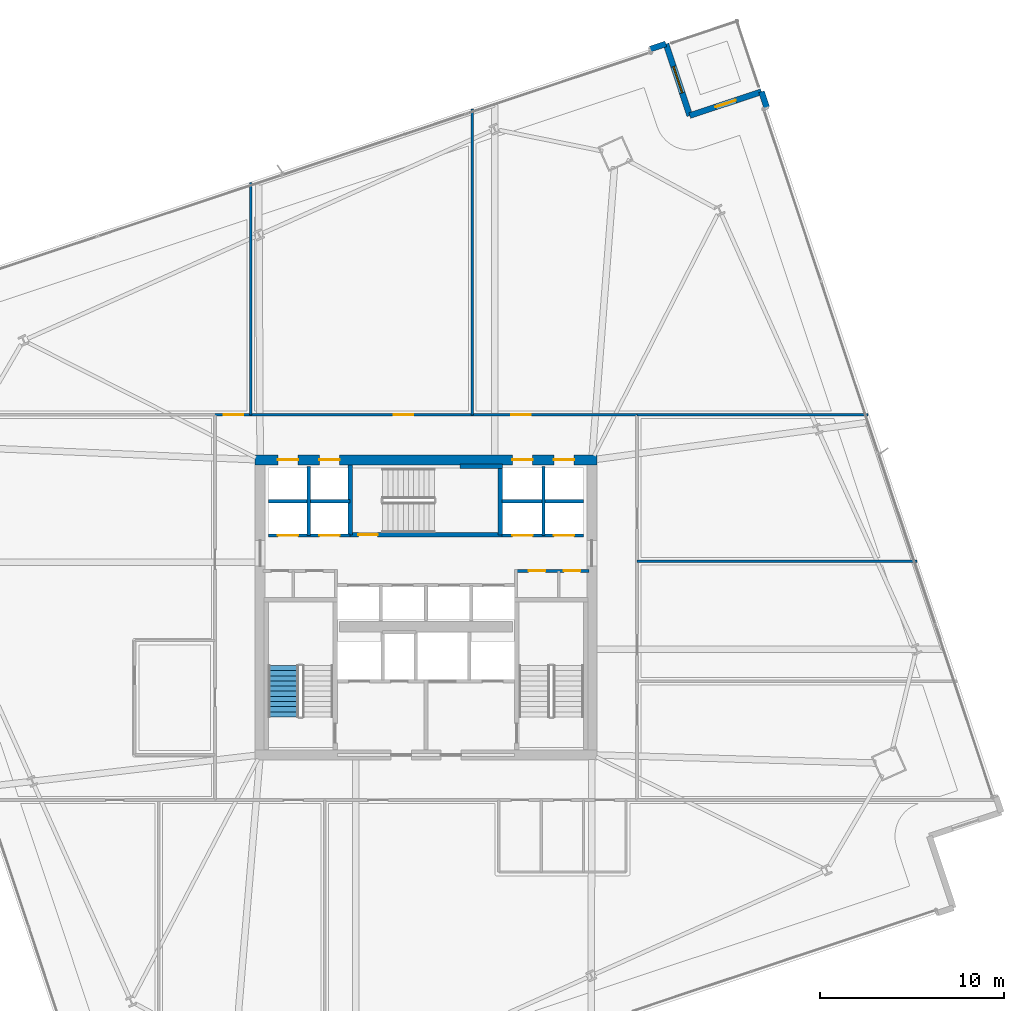
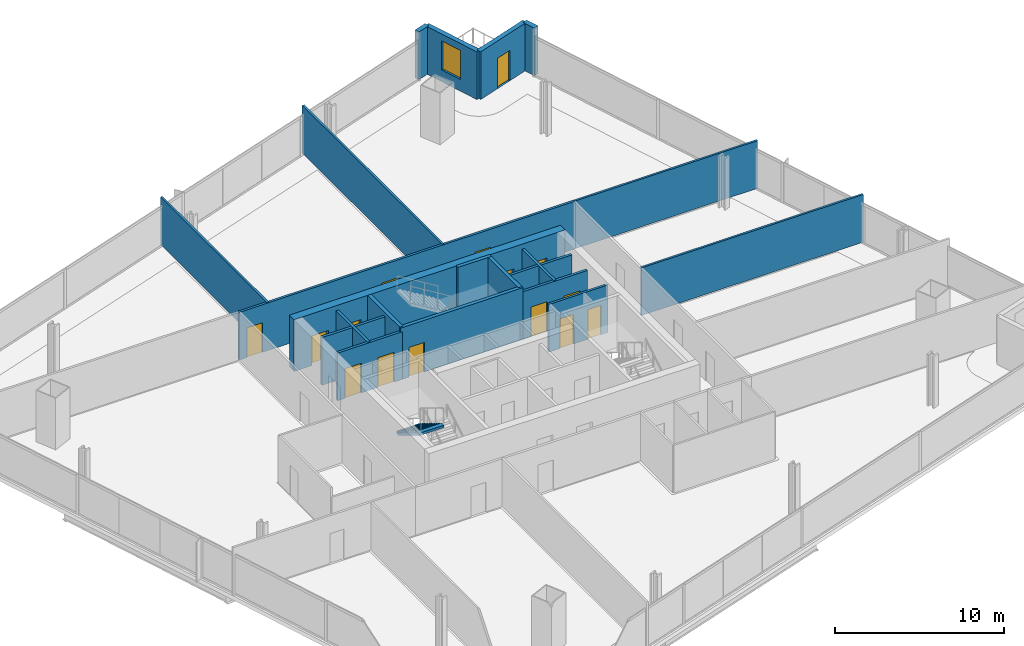
# One storey, part 27 of 34: 21 walls, 15 doors, 1 stair flight, 1 window, 16 openings, 1 element without a shape of its own.
"""IFC4 building model written with IfcOpenShell, lengths in metres."""

from ifc_helpers import new_model, si_unit, direction, frame, frame_2d, origin, place, context, subcontext, project, spatial, polyline, rectangle, outline, extrude, material, layer, layer_set, type_object, element, fill, aggregate, save


model = new_model("IFC4")

# Units and contexts
model_context = context("Model", 3, precision=1e-05, world=origin(), true_north=direction((0.0, 1.0)))
body_context = subcontext(model_context, "Body", "Model", "MODEL_VIEW")
ifc_project = project(units=[si_unit("LENGTHUNIT", "METRE"), si_unit("AREAUNIT", "SQUARE_METRE"), si_unit("VOLUMEUNIT", "CUBIC_METRE"), si_unit("PLANEANGLEUNIT", "RADIAN"), si_unit("MASSUNIT", "GRAM", prefix="KILO")], contexts=[model_context])

# Site, building, storey
site_placement = place(None, origin())
site = spatial("IfcSite", under=ifc_project, at=site_placement, CompositionType="ELEMENT")
building_placement = place(site_placement, origin())
building = spatial("IfcBuilding", under=site, at=building_placement, Name="Haldenkirk Collegiate Tower", CompositionType="ELEMENT")
storey_placement = place(building_placement, frame((0.0, 0.0, 90.449951171875)))
storey = spatial("IfcBuildingStorey", under=building, at=storey_placement, Name="L21", CompositionType="ELEMENT", Elevation=90.449951171875)

# Wall, openings, doors
ifc_material_1 = material(Name="Concrete f'c 70 MPa", Category="concrete")
ifc_layer_1 = layer(ifc_material_1, 0.550048828125)
ifc_layer_set_1 = layer_set([ifc_layer_1], Name="Concrete f'c 70 MPa")
wall_type_1 = type_object("IfcWallType", Name="WL-CORE-550", PredefinedType="SHEAR", material=ifc_layer_set_1)
wall_1_placement = place(storey_placement, frame((26.72509765625, 34.0, 0.0), z_axis=(0.0, 0.0, 1.0), x_axis=(1.0, 0.0, 0.0)))
wall_1 = element("IfcWall", 1, at=wall_1_placement, inside=storey, type_object=wall_type_1, Name="L21 central core shear wall N", PredefinedType="SHEAR", context=body_context, shape_type="SweptSolid", body=[
    extrude(rectangle(XDim=18.5498046875, YDim=0.550048828125, at=frame_2d((9.27490234375, 0.0))), origin(), (0.0, 0.0, 1.0), 3.75),
])
opening_1_placement = place(wall_1_placement, frame((1.239990234375, 0.0, 0.0)))
opening_1 = element("IfcOpeningElement", 2, at=opening_1_placement, cuts=wall_1, Name="Opening LD-11", PredefinedType="OPENING", context=body_context, shape_type="SweptSolid", body=[
    extrude(rectangle(XDim=1.10009765625, YDim=2.14990234375, at=frame_2d((0.550048828125, 1.074951171875))), frame((0.0, 0.284912109375, 0.0), z_axis=(0.0, -1.0, 0.0), x_axis=(1.0, 0.0, 0.0)), (0.0, 0.0, 1.0), 0.570068359375),
])
opening_2_placement = place(wall_1_placement, frame((3.489990234375, 0.0, 0.0)))
opening_2 = element("IfcOpeningElement", 3, at=opening_2_placement, cuts=wall_1, Name="Opening LD-11", PredefinedType="OPENING", context=body_context, shape_type="SweptSolid", body=[
    extrude(rectangle(XDim=1.10009765625, YDim=2.14990234375, at=frame_2d((0.550048828125, 1.074951171875))), frame((0.0, 0.284912109375, 0.0), z_axis=(0.0, -1.0, 0.0), x_axis=(1.0, 0.0, 0.0)), (0.0, 0.0, 1.0), 0.570068359375),
])
opening_3_placement = place(wall_1_placement, frame((13.9599609375, 0.0, 0.0)))
opening_3 = element("IfcOpeningElement", 4, at=opening_3_placement, cuts=wall_1, Name="Opening LD-11", PredefinedType="OPENING", context=body_context, shape_type="SweptSolid", body=[
    extrude(rectangle(XDim=1.10009765625, YDim=2.14990234375, at=frame_2d((0.550048828125, 1.074951171875))), frame((0.0, 0.284912109375, 0.0), z_axis=(0.0, -1.0, 0.0), x_axis=(1.0, 0.0, 0.0)), (0.0, 0.0, 1.0), 0.570068359375),
])
opening_4_placement = place(wall_1_placement, frame((16.2099609375, 0.0, 0.0)))
opening_4 = element("IfcOpeningElement", 5, at=opening_4_placement, cuts=wall_1, Name="Opening LD-11", PredefinedType="OPENING", context=body_context, shape_type="SweptSolid", body=[
    extrude(rectangle(XDim=1.10009765625, YDim=2.14990234375, at=frame_2d((0.550048828125, 1.074951171875))), frame((0.0, 0.284912109375, 0.0), z_axis=(0.0, -1.0, 0.0), x_axis=(1.0, 0.0, 0.0)), (0.0, 0.0, 1.0), 0.570068359375),
])
ifc_material_2 = material(Name="Brushed architectural stainless steel", Category="steel")
ifc_layer_2 = layer(ifc_material_2, 0.06005859375)
ifc_layer_set_2 = layer_set([ifc_layer_2], Name="Brushed architectural stainless steel")
door_type_1 = type_object("IfcDoorType", Name="LD-PASS-1100", OperationType="NOTDEFINED", PredefinedType="DOOR", material=ifc_layer_set_2)
door_1_placement = place(opening_1_placement, origin())
door_1 = element("IfcDoor", 6, at=door_1_placement, inside=storey, type_object=door_type_1, Name="L21 Elevator PL3 sliding landing door", OperationType="SLIDING_TO_LEFT", OverallHeight=2.14990234375, OverallWidth=1.10009765625, PredefinedType="DOOR", context=body_context, shape_type="SweptSolid", body=[
    extrude(rectangle(XDim=1.10009765625, YDim=2.14990234375, at=frame_2d((0.550048828125, 1.074951171875))), frame((0.0, 0.02490234375, 0.0), z_axis=(0.0, -1.0, 0.0), x_axis=(1.0, 0.0, 0.0)), (0.0, 0.0, 1.0), 0.050048828125),
])
fill(opening_1, door_1)
door_2_placement = place(opening_2_placement, origin())
door_2 = element("IfcDoor", 7, at=door_2_placement, inside=storey, type_object=door_type_1, Name="L21 Elevator PL4 sliding landing door", OperationType="SLIDING_TO_LEFT", OverallHeight=2.14990234375, OverallWidth=1.10009765625, PredefinedType="DOOR", context=body_context, shape_type="SweptSolid", body=[
    extrude(rectangle(XDim=1.10009765625, YDim=2.14990234375, at=frame_2d((0.550048828125, 1.074951171875))), frame((0.0, 0.02490234375, 0.0), z_axis=(0.0, -1.0, 0.0), x_axis=(1.0, 0.0, 0.0)), (0.0, 0.0, 1.0), 0.050048828125),
])
fill(opening_2, door_2)
door_3_placement = place(opening_3_placement, origin())
door_3 = element("IfcDoor", 8, at=door_3_placement, inside=storey, type_object=door_type_1, Name="L21 Elevator PM3 sliding landing door", OperationType="SLIDING_TO_LEFT", OverallHeight=2.14990234375, OverallWidth=1.10009765625, PredefinedType="DOOR", context=body_context, shape_type="SweptSolid", body=[
    extrude(rectangle(XDim=1.10009765625, YDim=2.14990234375, at=frame_2d((0.550048828125, 1.074951171875))), frame((0.0, 0.02490234375, 0.0), z_axis=(0.0, -1.0, 0.0), x_axis=(1.0, 0.0, 0.0)), (0.0, 0.0, 1.0), 0.050048828125),
])
fill(opening_3, door_3)
door_4_placement = place(opening_4_placement, origin())
door_4 = element("IfcDoor", 9, at=door_4_placement, inside=storey, type_object=door_type_1, Name="L21 Elevator PM4 sliding landing door", OperationType="SLIDING_TO_LEFT", OverallHeight=2.14990234375, OverallWidth=1.10009765625, PredefinedType="DOOR", context=body_context, shape_type="SweptSolid", body=[
    extrude(rectangle(XDim=1.10009765625, YDim=2.14990234375, at=frame_2d((0.550048828125, 1.074951171875))), frame((0.0, 0.02490234375, 0.0), z_axis=(0.0, -1.0, 0.0), x_axis=(1.0, 0.0, 0.0)), (0.0, 0.0, 1.0), 0.050048828125),
])
fill(opening_4, door_4)

# Wall
ifc_material_3 = material(Name="Precast concrete f'c 40 MPa", Category="concrete")
ifc_layer_3 = layer(ifc_material_3, 0.320068359375)
ifc_layer_set_3 = layer_set([ifc_layer_3], Name="Precast concrete f'c 40 MPa")
wall_type_2 = type_object("IfcWallType", Name="WL-EXT-TWR-320", PredefinedType="STANDARD", material=ifc_layer_set_3)
wall_2_placement = place(storey_placement, frame((54.2001953125, 53.97509765625, 0.0), z_axis=(0.0, 0.0, 1.0), x_axis=(0.315739467227, -0.948845924708, 0.0)))
element("IfcWall", 10, at=wall_2_placement, inside=storey, type_object=wall_type_2, Name="L21 precast corner pier EL", PredefinedType="STANDARD", context=body_context, shape_type="SweptSolid", body=[
    extrude(rectangle(XDim=0.900146484375, YDim=0.320068359375, at=frame_2d((0.4501953125, 0.0))), origin(), (0.0, 0.0, 1.0), 3.449951171875),
])

# Wall, opening, door
wall_3_placement = place(storey_placement, frame((50.309814453125, 52.680908203125, 0.0), z_axis=(0.0, 0.0, 1.0), x_axis=(0.948873674662, 0.315656062089, 0.0)))
wall_3 = element("IfcWall", 11, at=wall_3_placement, inside=storey, type_object=wall_type_2, Name="L21 bronze precast notch wall 05", PredefinedType="STANDARD", context=body_context, shape_type="SweptSolid", body=[
    extrude(rectangle(XDim=4.10009765625, YDim=0.320068359375, at=frame_2d((2.050048828125, 0.0))), origin(), (0.0, 0.0, 1.0), 3.449951171875),
])
opening_5_placement = place(wall_3_placement, frame((1.47509765625, 0.0, 0.0)))
opening_5 = element("IfcOpeningElement", 12, at=opening_5_placement, cuts=wall_3, Name="Opening D-ST11", PredefinedType="OPENING", context=body_context, shape_type="SweptSolid", body=[
    extrude(rectangle(XDim=1.14990234375, YDim=2.199951171875, at=frame_2d((0.574951171875, 1.10009765625))), frame((0.0, 0.169921875, 0.0), z_axis=(0.0, -1.0, 0.0), x_axis=(1.0, 0.0, 0.0)), (0.0, 0.0, 1.0), 0.340087890625),
])
ifc_material_4 = material(Name="Anodised architectural bronze aluminium", Category="aluminium")
ifc_layer_4 = layer(ifc_material_4, 0.080078125)
ifc_layer_set_4 = layer_set([ifc_layer_4], Name="Anodised architectural bronze aluminium")
door_type_2 = type_object("IfcDoorType", Name="DR-EXT-STER-1150", OperationType="NOTDEFINED", PredefinedType="DOOR", material=ifc_layer_set_4)
door_5_placement = place(opening_5_placement, origin())
door_5 = element("IfcDoor", 13, at=door_5_placement, inside=storey, type_object=door_type_2, Name="L21 spiralling terrace door", OperationType="SINGLE_SWING_RIGHT", OverallHeight=2.199951171875, OverallWidth=1.14990234375, PredefinedType="DOOR", context=body_context, shape_type="SweptSolid", body=[
    extrude(rectangle(XDim=1.14990234375, YDim=2.199951171875, at=frame_2d((0.574951171875, 1.10009765625))), frame((0.0, 0.02490234375, 0.0), z_axis=(0.0, -1.0, 0.0), x_axis=(1.0, 0.0, 0.0)), (0.0, 0.0, 1.0), 0.050048828125),
])
fill(opening_5, door_5)

# Wall, opening, window
wall_4_placement = place(storey_placement, frame((49.015625, 56.5712890625, 0.0), z_axis=(0.0, 0.0, 1.0), x_axis=(0.315656062089, -0.948873674662, 0.0)))
wall_4 = element("IfcWall", 14, at=wall_4_placement, inside=storey, type_object=wall_type_2, Name="L21 bronze precast notch wall 06", PredefinedType="STANDARD", context=body_context, shape_type="SweptSolid", body=[
    extrude(rectangle(XDim=4.10009765625, YDim=0.320068359375, at=frame_2d((2.050048828125, 0.0))), origin(), (0.0, 0.0, 1.0), 3.449951171875),
])
opening_6_placement = place(wall_4_placement, frame((1.300048828125, 0.0, 0.85009765625)))
opening_6 = element("IfcOpeningElement", 15, at=opening_6_placement, cuts=wall_4, Name="Opening W-04", PredefinedType="OPENING", context=body_context, shape_type="SweptSolid", body=[
    extrude(rectangle(XDim=1.5, YDim=2.10009765625, at=frame_2d((0.75, 1.050048828125))), frame((0.0, 0.169921875, 0.0), z_axis=(0.0, -1.0, 0.0), x_axis=(1.0, 0.0, 0.0)), (0.0, 0.0, 1.0), 0.340087890625),
])
ifc_material_5 = material(Name="Low-E argon triple insulating glass", Category="glass")
ifc_layer_5 = layer(ifc_material_5, 0.090087890625)
ifc_layer_set_5 = layer_set([ifc_layer_5], Name="Low-E argon triple insulating glass")
window_type = type_object("IfcWindowType", Name="WN-Z2-1500X2100", PartitioningType="SINGLE_PANEL", PredefinedType="WINDOW", material=ifc_layer_set_5)
window_placement = place(opening_6_placement, origin())
window = element("IfcWindow", 16, at=window_placement, inside=storey, type_object=window_type, Name="L21 precast-frame academic window 5", OverallHeight=2.10009765625, OverallWidth=1.5, PartitioningType="SINGLE_PANEL", PredefinedType="WINDOW", context=body_context, shape_type="SweptSolid", body=[
    extrude(rectangle(XDim=1.5, YDim=2.10009765625, at=frame_2d((0.75, 1.050048828125))), frame((0.0, 0.030029296875, 0.0), z_axis=(0.0, -1.0, 0.0), x_axis=(1.0, 0.0, 0.0)), (0.0, 0.0, 1.0), 0.06005859375),
])
fill(opening_6, window)

# Wall
wall_5_placement = place(storey_placement, frame((48.16162109375, 56.287109375, 0.0), z_axis=(0.0, 0.0, 1.0), x_axis=(0.948845924708, 0.315739467227, 0.0)))
element("IfcWall", 17, at=wall_5_placement, inside=storey, type_object=wall_type_2, Name="L21 precast corner pier NR", PredefinedType="STANDARD", context=body_context, shape_type="SweptSolid", body=[
    extrude(rectangle(XDim=0.900146484375, YDim=0.320068359375, at=frame_2d((0.4501953125, 0.0))), origin(), (0.0, 0.0, 1.0), 3.449951171875),
])

# Wall, openings, doors
ifc_material_6 = material(Name="Acoustic fire-rated gypsum partition", Category="concrete")
ifc_layer_6 = layer(ifc_material_6, 0.159912109375)
ifc_layer_set_6 = layer_set([ifc_layer_6], Name="Acoustic fire-rated gypsum partition")
wall_type_3 = type_object("IfcWallType", Name="WL-INT-CORR-160", PredefinedType="PARTITIONING", material=ifc_layer_set_6)
wall_6_placement = place(storey_placement, frame((40.800048828125, 27.97998046875, 0.0), z_axis=(0.0, 0.0, 1.0), x_axis=(1.0, 0.0, 0.0)))
wall_6 = element("IfcWall", 18, at=wall_6_placement, inside=storey, type_object=wall_type_3, Name="L21 interior partition IW-L21-VCSE-N", PredefinedType="PARTITIONING", context=body_context, shape_type="SweptSolid", body=[
    extrude(rectangle(XDim=4.050048828125, YDim=0.159912109375, at=frame_2d((2.02490234375, 0.0))), origin(), (0.0, 0.0, 1.0), 3.449951171875),
])
opening_7_placement = place(wall_6_placement, frame((0.77001953125, 0.0, 0.0)))
opening_7 = element("IfcOpeningElement", 19, at=opening_7_placement, cuts=wall_6, Name="Opening D-11", PredefinedType="OPENING", context=body_context, shape_type="SweptSolid", body=[
    extrude(rectangle(XDim=0.89990234375, YDim=2.14990234375, at=frame_2d((0.449951171875, 1.074951171875))), frame((0.0, 0.08984375, 0.0), z_axis=(0.0, -1.0, 0.0), x_axis=(1.0, 0.0, 0.0)), (0.0, 0.0, 1.0), 0.179931640625),
])
opening_8_placement = place(wall_6_placement, frame((2.679931640625, 0.0, 0.0)))
opening_8 = element("IfcOpeningElement", 20, at=opening_8_placement, cuts=wall_6, Name="Opening D-11", PredefinedType="OPENING", context=body_context, shape_type="SweptSolid", body=[
    extrude(rectangle(XDim=0.89990234375, YDim=2.14990234375, at=frame_2d((0.449951171875, 1.074951171875))), frame((0.0, 0.08984375, 0.0), z_axis=(0.0, -1.0, 0.0), x_axis=(1.0, 0.0, 0.0)), (0.0, 0.0, 1.0), 0.179931640625),
])
ifc_material_7 = material(Name="Solid-core architectural oak fire door", Category="wood")
ifc_layer_7 = layer(ifc_material_7, 0.06005859375)
ifc_layer_set_7 = layer_set([ifc_layer_7], Name="Solid-core architectural oak fire door")
door_type_3 = type_object("IfcDoorType", Name="DR-INT-FD60-900", OperationType="NOTDEFINED", PredefinedType="DOOR", material=ifc_layer_set_7)
door_6_placement = place(opening_7_placement, origin())
door_6 = element("IfcDoor", 21, at=door_6_placement, inside=storey, type_object=door_type_3, Name="L21 core archive door", OperationType="SINGLE_SWING_LEFT", OverallHeight=2.14990234375, OverallWidth=0.89990234375, PredefinedType="DOOR", context=body_context, shape_type="SweptSolid", body=[
    extrude(rectangle(XDim=0.89990234375, YDim=2.14990234375, at=frame_2d((0.449951171875, 1.074951171875))), frame((0.0, 0.02490234375, 0.0), z_axis=(0.0, -1.0, 0.0), x_axis=(1.0, 0.0, 0.0)), (0.0, 0.0, 1.0), 0.050048828125),
])
fill(opening_7, door_6)
door_7_placement = place(opening_8_placement, origin())
door_7 = element("IfcDoor", 22, at=door_7_placement, inside=storey, type_object=door_type_3, Name="L21 core telecom door", OperationType="SINGLE_SWING_RIGHT", OverallHeight=2.14990234375, OverallWidth=0.89990234375, PredefinedType="DOOR", context=body_context, shape_type="SweptSolid", body=[
    extrude(rectangle(XDim=0.89990234375, YDim=2.14990234375, at=frame_2d((0.449951171875, 1.074951171875))), frame((0.0, 0.02490234375, 0.0), z_axis=(0.0, -1.0, 0.0), x_axis=(1.0, 0.0, 0.0)), (0.0, 0.0, 1.0), 0.050048828125),
])
fill(opening_8, door_7)

wall_7_placement = place(storey_placement, frame((24.5, 36.449951171875, 0.0), z_axis=(0.0, 0.0, 1.0), x_axis=(1.0, 0.0, 0.0)))
wall_7 = element("IfcWall", 23, at=wall_7_placement, inside=storey, type_object=wall_type_3, Name="L21 interior partition IW-L21-CN", PredefinedType="PARTITIONING", context=body_context, shape_type="SweptSolid", body=[
    extrude(rectangle(XDim=23.0, YDim=0.159912109375, at=frame_2d((11.5, 0.0))), origin(), (0.0, 0.0, 1.0), 3.449951171875),
])
opening_9_placement = place(wall_7_placement, frame((0.530029296875, 0.0, 0.0)))
opening_9 = element("IfcOpeningElement", 24, at=opening_9_placement, cuts=wall_7, Name="Opening D-09", PredefinedType="OPENING", context=body_context, shape_type="SweptSolid", body=[
    extrude(rectangle(XDim=1.050048828125, YDim=2.14990234375, at=frame_2d((0.52490234375, 1.074951171875))), frame((0.0, 0.08984375, 0.0), z_axis=(0.0, -1.0, 0.0), x_axis=(1.0, 0.0, 0.0)), (0.0, 0.0, 1.0), 0.179931640625),
])
opening_10_placement = place(wall_7_placement, frame((9.7548828125, 0.0, 0.0)))
opening_10 = element("IfcOpeningElement", 25, at=opening_10_placement, cuts=wall_7, Name="Opening D-09", PredefinedType="OPENING", context=body_context, shape_type="SweptSolid", body=[
    extrude(rectangle(XDim=1.050048828125, YDim=2.14990234375, at=frame_2d((0.52490234375, 1.074951171875))), frame((0.0, 0.08984375, 0.0), z_axis=(0.0, -1.0, 0.0), x_axis=(1.0, 0.0, 0.0)), (0.0, 0.0, 1.0), 0.179931640625),
])
opening_11_placement = place(wall_7_placement, frame((16.12890625, 0.0, 0.0)))
opening_11 = element("IfcOpeningElement", 26, at=opening_11_placement, cuts=wall_7, Name="Opening D-09", PredefinedType="OPENING", context=body_context, shape_type="SweptSolid", body=[
    extrude(rectangle(XDim=1.050048828125, YDim=2.14990234375, at=frame_2d((0.52490234375, 1.074951171875))), frame((0.0, 0.08984375, 0.0), z_axis=(0.0, -1.0, 0.0), x_axis=(1.0, 0.0, 0.0)), (0.0, 0.0, 1.0), 0.179931640625),
])
ifc_layer_8 = layer(ifc_material_7, 0.06005859375)
ifc_layer_set_8 = layer_set([ifc_layer_8], Name="Solid-core architectural oak fire door")
door_type_4 = type_object("IfcDoorType", Name="DR-INT-FD60-1050", OperationType="NOTDEFINED", PredefinedType="DOOR", material=ifc_layer_set_8)
door_8_placement = place(opening_9_placement, origin())
door_8 = element("IfcDoor", 27, at=door_8_placement, inside=storey, type_object=door_type_4, Name="L21 Occupational Health Clinic 4 door", OperationType="SINGLE_SWING_LEFT", OverallHeight=2.14990234375, OverallWidth=1.050048828125, PredefinedType="DOOR", context=body_context, shape_type="SweptSolid", body=[
    extrude(rectangle(XDim=1.050048828125, YDim=2.14990234375, at=frame_2d((0.52490234375, 1.074951171875))), frame((0.0, 0.02490234375, 0.0), z_axis=(0.0, -1.0, 0.0), x_axis=(1.0, 0.0, 0.0)), (0.0, 0.0, 1.0), 0.050048828125),
])
fill(opening_9, door_8)
door_9_placement = place(opening_10_placement, origin())
door_9 = element("IfcDoor", 28, at=door_9_placement, inside=storey, type_object=door_type_4, Name="L21 Acoustics Testing Laboratory 5 door", OperationType="SINGLE_SWING_RIGHT", OverallHeight=2.14990234375, OverallWidth=1.050048828125, PredefinedType="DOOR", context=body_context, shape_type="SweptSolid", body=[
    extrude(rectangle(XDim=1.050048828125, YDim=2.14990234375, at=frame_2d((0.52490234375, 1.074951171875))), frame((0.0, 0.02490234375, 0.0), z_axis=(0.0, -1.0, 0.0), x_axis=(1.0, 0.0, 0.0)), (0.0, 0.0, 1.0), 0.050048828125),
])
fill(opening_10, door_9)
door_10_placement = place(opening_11_placement, origin())
door_10 = element("IfcDoor", 29, at=door_10_placement, inside=storey, type_object=door_type_4, Name="L21 Environmental Lab 6 door", OperationType="SINGLE_SWING_LEFT", OverallHeight=2.14990234375, OverallWidth=1.050048828125, PredefinedType="DOOR", context=body_context, shape_type="SweptSolid", body=[
    extrude(rectangle(XDim=1.050048828125, YDim=2.14990234375, at=frame_2d((0.52490234375, 1.074951171875))), frame((0.0, 0.02490234375, 0.0), z_axis=(0.0, -1.0, 0.0), x_axis=(1.0, 0.0, 0.0)), (0.0, 0.0, 1.0), 0.050048828125),
])
fill(opening_11, door_10)

# Walls
ifc_layer_9 = layer(ifc_material_6, 0.139892578125)
ifc_layer_set_9 = layer_set([ifc_layer_9], Name="Acoustic fire-rated gypsum partition")
wall_type_4 = type_object("IfcWallType", Name="WL-INT-DIV-140", PredefinedType="PARTITIONING", material=ifc_layer_set_9)
wall_8_placement = place(storey_placement, frame((47.449951171875, 36.449951171875, 0.0), z_axis=(0.0, 0.0, 1.0), x_axis=(1.0, 0.0, 0.0)))
element("IfcWall", 30, at=wall_8_placement, inside=storey, type_object=wall_type_4, Name="L21 interior partition IW-L21-BEN", PredefinedType="PARTITIONING", context=body_context, shape_type="SweptSolid", body=[
    extrude(rectangle(XDim=12.537841796875, YDim=0.139892578125, at=frame_2d((6.26904296875, 0.0))), origin(), (0.0, 0.0, 1.0), 3.449951171875),
])
wall_9_placement = place(storey_placement, frame((26.5, 36.449951171875, 0.0), z_axis=(0.0, 0.0, 1.0), x_axis=(0.0, 1.0, 0.0)))
element("IfcWall", 31, at=wall_9_placement, inside=storey, type_object=wall_type_4, Name="L21 interior partition IW-L21-RN1", PredefinedType="PARTITIONING", context=body_context, shape_type="SweptSolid", body=[
    extrude(rectangle(XDim=12.58935546875, YDim=0.139892578125, at=frame_2d((6.294677734375, 0.0))), origin(), (0.0, 0.0, 1.0), 3.449951171875),
])
wall_10_placement = place(storey_placement, frame((38.5, 36.449951171875, 0.0), z_axis=(0.0, 0.0, 1.0), x_axis=(0.0, 1.0, 0.0)))
element("IfcWall", 32, at=wall_10_placement, inside=storey, type_object=wall_type_4, Name="L21 interior partition IW-L21-RN2", PredefinedType="PARTITIONING", context=body_context, shape_type="SweptSolid", body=[
    extrude(rectangle(XDim=16.5810546875, YDim=0.139892578125, at=frame_2d((8.29052734375, 0.0))), origin(), (0.0, 0.0, 1.0), 3.449951171875),
])
wall_11_placement = place(storey_placement, frame((47.449951171875, 28.5, 0.0), z_axis=(0.0, 0.0, 1.0), x_axis=(1.0, 0.0, 0.0)))
element("IfcWall", 33, at=wall_11_placement, inside=storey, type_object=wall_type_4, Name="L21 interior partition IW-L21-RE2", PredefinedType="PARTITIONING", context=body_context, shape_type="SweptSolid", body=[
    extrude(rectangle(XDim=15.1826171875, YDim=0.139892578125, at=frame_2d((7.59130859375, 0.0))), origin(), (0.0, 0.0, 1.0), 3.449951171875),
])

# Wall, openings, doors
ifc_material_8 = material(Name="Fire-rated gypsum shaftboard assembly", Category="concrete")
ifc_layer_10 = layer(ifc_material_8, 0.179931640625)
ifc_layer_set_10 = layer_set([ifc_layer_10], Name="Fire-rated gypsum shaftboard assembly")
wall_type_5 = type_object("IfcWallType", Name="WL-INT-SHAFT-180", PredefinedType="PARTITIONING", material=ifc_layer_set_10)
wall_12_placement = place(storey_placement, frame((27.449951171875, 29.89990234375, 0.0), z_axis=(0.0, 0.0, 1.0), x_axis=(1.0, 0.0, 0.0)))
wall_12 = element("IfcWall", 34, at=wall_12_placement, inside=storey, type_object=wall_type_5, Name="L21 interior partition IW-L21-PLS", PredefinedType="PARTITIONING", context=body_context, shape_type="SweptSolid", body=[
    extrude(rectangle(XDim=4.429931640625, YDim=0.179931640625, at=frame_2d((2.21484375, 0.0))), origin(), (0.0, 0.0, 1.0), 3.449951171875),
])
opening_12_placement = place(wall_12_placement, frame((0.514892578125, 0.0, 0.0)))
opening_12 = element("IfcOpeningElement", 35, at=opening_12_placement, cuts=wall_12, Name="Opening LD-11", PredefinedType="OPENING", context=body_context, shape_type="SweptSolid", body=[
    extrude(rectangle(XDim=1.10009765625, YDim=2.14990234375, at=frame_2d((0.550048828125, 1.074951171875))), frame((0.0, 0.099853515625, 0.0), z_axis=(0.0, -1.0, 0.0), x_axis=(1.0, 0.0, 0.0)), (0.0, 0.0, 1.0), 0.199951171875),
])
opening_13_placement = place(wall_12_placement, frame((2.764892578125, 0.0, 0.0)))
opening_13 = element("IfcOpeningElement", 36, at=opening_13_placement, cuts=wall_12, Name="Opening LD-11", PredefinedType="OPENING", context=body_context, shape_type="SweptSolid", body=[
    extrude(rectangle(XDim=1.10009765625, YDim=2.14990234375, at=frame_2d((0.550048828125, 1.074951171875))), frame((0.0, 0.099853515625, 0.0), z_axis=(0.0, -1.0, 0.0), x_axis=(1.0, 0.0, 0.0)), (0.0, 0.0, 1.0), 0.199951171875),
])
door_11_placement = place(opening_12_placement, origin())
door_11 = element("IfcDoor", 37, at=door_11_placement, inside=storey, type_object=door_type_1, Name="L21 Elevator PL1 sliding landing door", OperationType="SLIDING_TO_LEFT", OverallHeight=2.14990234375, OverallWidth=1.10009765625, PredefinedType="DOOR", context=body_context, shape_type="SweptSolid", body=[
    extrude(rectangle(XDim=1.10009765625, YDim=2.14990234375, at=frame_2d((0.550048828125, 1.074951171875))), frame((0.0, 0.02490234375, 0.0), z_axis=(0.0, -1.0, 0.0), x_axis=(1.0, 0.0, 0.0)), (0.0, 0.0, 1.0), 0.050048828125),
])
fill(opening_12, door_11)
door_12_placement = place(opening_13_placement, origin())
door_12 = element("IfcDoor", 38, at=door_12_placement, inside=storey, type_object=door_type_1, Name="L21 Elevator PL2 sliding landing door", OperationType="SLIDING_TO_LEFT", OverallHeight=2.14990234375, OverallWidth=1.10009765625, PredefinedType="DOOR", context=body_context, shape_type="SweptSolid", body=[
    extrude(rectangle(XDim=1.10009765625, YDim=2.14990234375, at=frame_2d((0.550048828125, 1.074951171875))), frame((0.0, 0.02490234375, 0.0), z_axis=(0.0, -1.0, 0.0), x_axis=(1.0, 0.0, 0.0)), (0.0, 0.0, 1.0), 0.050048828125),
])
fill(opening_13, door_12)

# Walls
wall_13_placement = place(storey_placement, frame((27.449951171875, 31.75, 0.0), z_axis=(0.0, 0.0, 1.0), x_axis=(1.0, 0.0, 0.0)))
element("IfcWall", 39, at=wall_13_placement, inside=storey, type_object=wall_type_5, Name="L21 interior partition IW-L21-PLM", PredefinedType="PARTITIONING", context=body_context, shape_type="SweptSolid", body=[
    extrude(rectangle(XDim=4.429931640625, YDim=0.179931640625, at=frame_2d((2.21484375, 0.0))), origin(), (0.0, 0.0, 1.0), 3.449951171875),
])
wall_14_placement = place(storey_placement, frame((29.6298828125, 29.89990234375, 0.0), z_axis=(0.0, 0.0, 1.0), x_axis=(0.0, 1.0, 0.0)))
element("IfcWall", 40, at=wall_14_placement, inside=storey, type_object=wall_type_5, Name="L21 interior partition IW-L21-PLV", PredefinedType="PARTITIONING", context=body_context, shape_type="SweptSolid", body=[
    extrude(rectangle(XDim=3.75, YDim=0.179931640625, at=frame_2d((1.875, 0.0))), origin(), (0.0, 0.0, 1.0), 3.449951171875),
])

# Wall, openings, doors
wall_15_placement = place(storey_placement, frame((40.1201171875, 29.89990234375, 0.0), z_axis=(0.0, 0.0, 1.0), x_axis=(1.0, 0.0, 0.0)))
wall_15 = element("IfcWall", 41, at=wall_15_placement, inside=storey, type_object=wall_type_5, Name="L21 interior partition IW-L21-PMS", PredefinedType="PARTITIONING", context=body_context, shape_type="SweptSolid", body=[
    extrude(rectangle(XDim=4.429931640625, YDim=0.179931640625, at=frame_2d((2.21484375, 0.0))), origin(), (0.0, 0.0, 1.0), 3.449951171875),
])
opening_14_placement = place(wall_15_placement, frame((0.56494140625, 0.0, 0.0)))
opening_14 = element("IfcOpeningElement", 42, at=opening_14_placement, cuts=wall_15, Name="Opening LD-11", PredefinedType="OPENING", context=body_context, shape_type="SweptSolid", body=[
    extrude(rectangle(XDim=1.10009765625, YDim=2.14990234375, at=frame_2d((0.550048828125, 1.074951171875))), frame((0.0, 0.099853515625, 0.0), z_axis=(0.0, -1.0, 0.0), x_axis=(1.0, 0.0, 0.0)), (0.0, 0.0, 1.0), 0.199951171875),
])
opening_15_placement = place(wall_15_placement, frame((2.81494140625, 0.0, 0.0)))
opening_15 = element("IfcOpeningElement", 43, at=opening_15_placement, cuts=wall_15, Name="Opening LD-11", PredefinedType="OPENING", context=body_context, shape_type="SweptSolid", body=[
    extrude(rectangle(XDim=1.10009765625, YDim=2.14990234375, at=frame_2d((0.550048828125, 1.074951171875))), frame((0.0, 0.099853515625, 0.0), z_axis=(0.0, -1.0, 0.0), x_axis=(1.0, 0.0, 0.0)), (0.0, 0.0, 1.0), 0.199951171875),
])
door_13_placement = place(opening_14_placement, origin())
door_13 = element("IfcDoor", 44, at=door_13_placement, inside=storey, type_object=door_type_1, Name="L21 Elevator PM1 sliding landing door", OperationType="SLIDING_TO_LEFT", OverallHeight=2.14990234375, OverallWidth=1.10009765625, PredefinedType="DOOR", context=body_context, shape_type="SweptSolid", body=[
    extrude(rectangle(XDim=1.10009765625, YDim=2.14990234375, at=frame_2d((0.550048828125, 1.074951171875))), frame((0.0, 0.02490234375, 0.0), z_axis=(0.0, -1.0, 0.0), x_axis=(1.0, 0.0, 0.0)), (0.0, 0.0, 1.0), 0.050048828125),
])
fill(opening_14, door_13)
door_14_placement = place(opening_15_placement, origin())
door_14 = element("IfcDoor", 45, at=door_14_placement, inside=storey, type_object=door_type_1, Name="L21 Elevator PM2 sliding landing door", OperationType="SLIDING_TO_LEFT", OverallHeight=2.14990234375, OverallWidth=1.10009765625, PredefinedType="DOOR", context=body_context, shape_type="SweptSolid", body=[
    extrude(rectangle(XDim=1.10009765625, YDim=2.14990234375, at=frame_2d((0.550048828125, 1.074951171875))), frame((0.0, 0.02490234375, 0.0), z_axis=(0.0, -1.0, 0.0), x_axis=(1.0, 0.0, 0.0)), (0.0, 0.0, 1.0), 0.050048828125),
])
fill(opening_15, door_14)

# Walls
wall_16_placement = place(storey_placement, frame((40.1201171875, 31.75, 0.0), z_axis=(0.0, 0.0, 1.0), x_axis=(1.0, 0.0, 0.0)))
element("IfcWall", 46, at=wall_16_placement, inside=storey, type_object=wall_type_5, Name="L21 interior partition IW-L21-PMM", PredefinedType="PARTITIONING", context=body_context, shape_type="SweptSolid", body=[
    extrude(rectangle(XDim=4.429931640625, YDim=0.179931640625, at=frame_2d((2.21484375, 0.0))), origin(), (0.0, 0.0, 1.0), 3.449951171875),
])
wall_17_placement = place(storey_placement, frame((42.3701171875, 29.89990234375, 0.0), z_axis=(0.0, 0.0, 1.0), x_axis=(0.0, 1.0, 0.0)))
element("IfcWall", 47, at=wall_17_placement, inside=storey, type_object=wall_type_5, Name="L21 interior partition IW-L21-PMV", PredefinedType="PARTITIONING", context=body_context, shape_type="SweptSolid", body=[
    extrude(rectangle(XDim=3.75, YDim=0.179931640625, at=frame_2d((1.875, 0.0))), origin(), (0.0, 0.0, 1.0), 3.449951171875),
])

# Wall, opening, door
ifc_material_9 = material(Name="Concrete f'c 55 MPa", Category="concrete")
ifc_layer_11 = layer(ifc_material_9, 0.239990234375)
ifc_layer_set_11 = layer_set([ifc_layer_11], Name="Concrete f'c 55 MPa")
wall_type_6 = type_object("IfcWallType", Name="WL-SHAFT-240", PredefinedType="SHEAR", material=ifc_layer_set_11)
wall_18_placement = place(storey_placement, frame((31.760009765625, 29.929931640625, 0.0), z_axis=(0.0, 0.0, 1.0), x_axis=(1.0, 0.0, 0.0)))
wall_18 = element("IfcWall", 48, at=wall_18_placement, inside=storey, type_object=wall_type_6, Name="L21 stair shaft shear wall SW-L21-ST3S", PredefinedType="SHEAR", context=body_context, shape_type="SweptSolid", body=[
    extrude(rectangle(XDim=8.3798828125, YDim=0.239990234375, at=frame_2d((4.18994140625, 0.0))), origin(), (0.0, 0.0, 1.0), 3.75),
])
opening_16_placement = place(wall_18_placement, frame((0.56494140625, 0.0, 0.0)))
opening_16 = element("IfcOpeningElement", 49, at=opening_16_placement, cuts=wall_18, Name="Opening D-01", PredefinedType="OPENING", context=body_context, shape_type="SweptSolid", body=[
    extrude(rectangle(XDim=1.050048828125, YDim=2.14990234375, at=frame_2d((0.52490234375, 1.074951171875))), frame((0.0, 0.1298828125, 0.0), z_axis=(0.0, -1.0, 0.0), x_axis=(1.0, 0.0, 0.0)), (0.0, 0.0, 1.0), 0.260009765625),
])
ifc_material_10 = material(Name="Galvanized fire-rated hollow steel door", Category="steel")
ifc_layer_12 = layer(ifc_material_10, 0.06005859375)
ifc_layer_set_12 = layer_set([ifc_layer_12], Name="Galvanized fire-rated hollow steel door")
door_type_5 = type_object("IfcDoorType", Name="DR-STAIR-FD90-1050", OperationType="NOTDEFINED", PredefinedType="DOOR", material=ifc_layer_set_12)
door_15_placement = place(opening_16_placement, origin())
door_15 = element("IfcDoor", 50, at=door_15_placement, inside=storey, type_object=door_type_5, Name="L21 lift lobby Stair 3 door", OperationType="SINGLE_SWING_LEFT", OverallHeight=2.14990234375, OverallWidth=1.050048828125, PredefinedType="DOOR", context=body_context, shape_type="SweptSolid", body=[
    extrude(rectangle(XDim=1.050048828125, YDim=2.14990234375, at=frame_2d((0.52490234375, 1.074951171875))), frame((0.0, 0.02490234375, 0.0), z_axis=(0.0, -1.0, 0.0), x_axis=(1.0, 0.0, 0.0)), (0.0, 0.0, 1.0), 0.050048828125),
])
fill(opening_16, door_15)

# Walls
wall_19_placement = place(storey_placement, frame((31.8798828125, 29.929931640625, 0.0), z_axis=(0.0, 0.0, 1.0), x_axis=(0.0, 1.0, 0.0)))
element("IfcWall", 51, at=wall_19_placement, inside=storey, type_object=wall_type_6, Name="L21 stair shaft shear wall SW-L21-ST3W", PredefinedType="SHEAR", context=body_context, shape_type="SweptSolid", body=[
    extrude(rectangle(XDim=3.7900390625, YDim=0.239990234375, at=frame_2d((1.89501953125, 0.0))), origin(), (0.0, 0.0, 1.0), 3.75),
])
wall_20_placement = place(storey_placement, frame((40.02001953125, 29.929931640625, 0.0), z_axis=(0.0, 0.0, 1.0), x_axis=(0.0, 1.0, 0.0)))
element("IfcWall", 52, at=wall_20_placement, inside=storey, type_object=wall_type_6, Name="L21 stair shaft shear wall SW-L21-ST3E", PredefinedType="SHEAR", context=body_context, shape_type="SweptSolid", body=[
    extrude(rectangle(XDim=3.85009765625, YDim=0.239990234375, at=frame_2d((1.925048828125, 0.0))), origin(), (0.0, 0.0, 1.0), 3.75),
])
wall_21_placement = place(storey_placement, frame((37.85009765625, 33.659912109375, 0.0), z_axis=(0.0, 0.0, 1.0), x_axis=(1.0, 0.0, 0.0)))
element("IfcWall", 53, at=wall_21_placement, inside=storey, type_object=wall_type_6, Name="L21 stair shaft shear wall SW-L21-ST3N", PredefinedType="SHEAR", context=body_context, shape_type="SweptSolid", body=[
    extrude(rectangle(XDim=2.289794921875, YDim=0.239990234375, at=frame_2d((1.14501953125, 0.0))), origin(), (0.0, 0.0, 1.0), 3.75),
])

# Stair, stair flight
ifc_material_11 = material(Name="Concrete f'c 40 MPa", Category="concrete")
stair_type = type_object("IfcStairType", Name="STR-DOGLEG-1650", PredefinedType="HALF_TURN_STAIR", material=ifc_material_11)
stair_placement = place(storey_placement, origin())
stair = element("IfcStair", 54, at=stair_placement, inside=storey, type_object=stair_type, Name="L21 Core Exit Stair ST-1", PredefinedType="HALF_TURN_STAIR")
stair_flight_type = type_object("IfcStairFlightType", Name="STF-FLIGHT-1650", PredefinedType="STRAIGHT", material=ifc_material_11)
stair_flight_placement = place(storey_placement, frame((28.27490234375, 22.85009765625, 1.875), z_axis=(0.0, 0.0, 1.0), x_axis=(0.0, -1.0, 0.0)))
stair_flight = element("IfcStairFlight", 55, at=stair_flight_placement, type_object=stair_flight_type, Name="ST-1 flight 2", NumberOfRisers=11, NumberOfTreads=10, PredefinedType="STRAIGHT", RiserHeight=0.170454545, TreadLength=0.28, context=body_context, shape_type="SweptSolid", body=[
    extrude(outline(polyline([(0.0, 0.0), (0.0, 0.17041015625), (0.280029296875, 0.17041015625), (0.280029296875, 0.3408203125), (0.56005859375, 0.3408203125), (0.56005859375, 0.511474609375), (0.840087890625, 0.511474609375), (0.840087890625, 0.681884765625), (1.1201171875, 0.681884765625), (1.1201171875, 0.852294921875), (1.39990234375, 0.852294921875), (1.39990234375, 1.022705078125), (1.679931640625, 1.022705078125), (1.679931640625, 1.193115234375), (1.9599609375, 1.193115234375), (1.9599609375, 1.363525390625), (2.239990234375, 1.363525390625), (2.239990234375, 1.5341796875), (2.52001953125, 1.5341796875), (2.52001953125, 1.70458984375), (2.800048828125, 1.70458984375), (2.800048828125, 1.875), (2.800048828125, 1.529052734375), (0.288330078125, 0.0), (0.0, 0.0)])), frame((0.0, 0.824951171875, 0.0), z_axis=(0.0, -1.0, 0.0), x_axis=(1.0, 0.0, 0.0)), (0.0, 0.0, 1.0), 1.64990234375),
])
aggregate(stair, [stair_flight])

save(model, "model.ifc")
